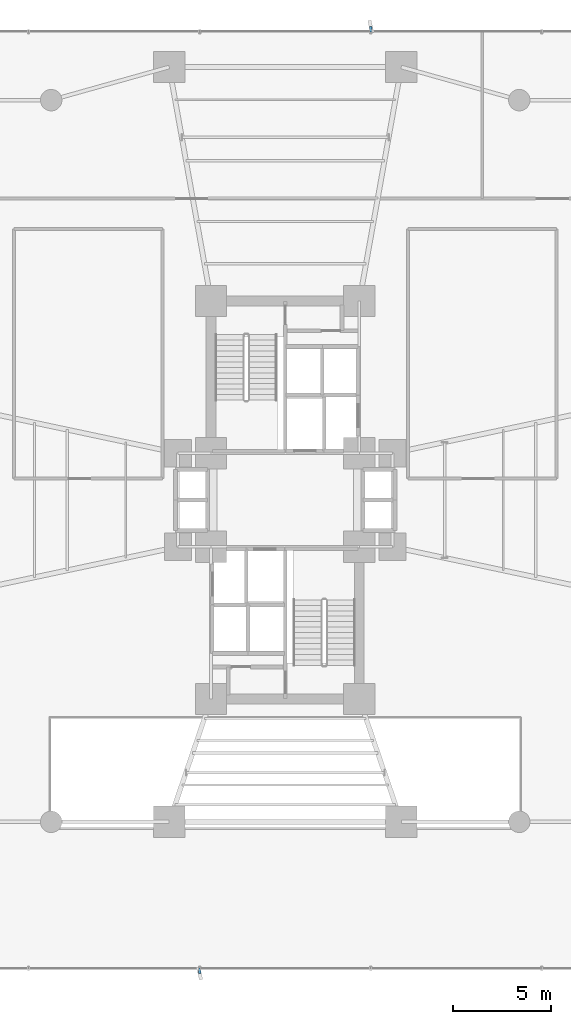
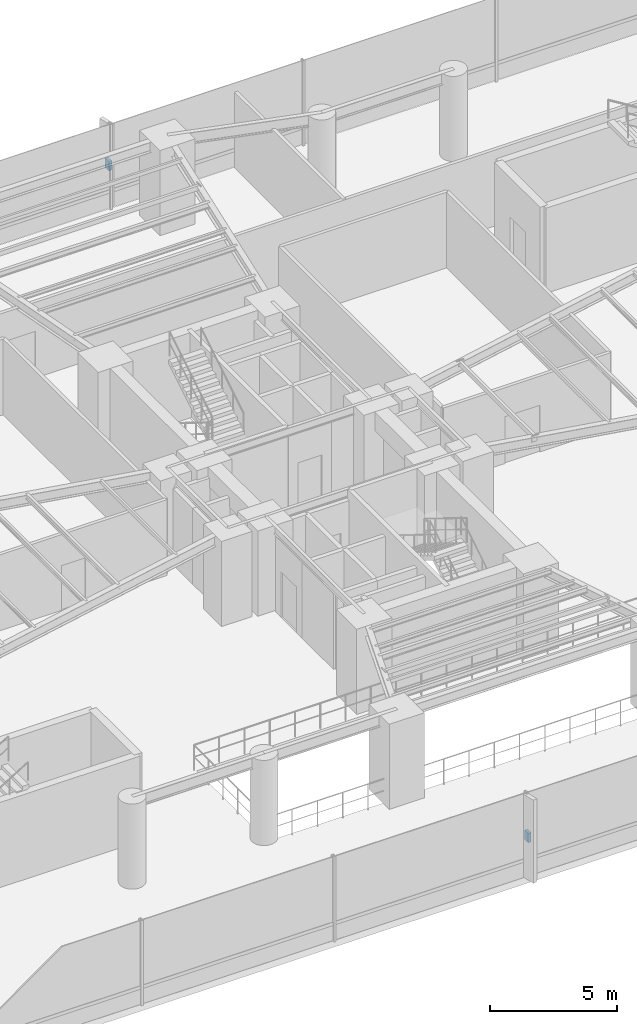
# One storey, part 19 of 23: 2 discrete accessories.
"""IFC4 building model written with IfcOpenShell, lengths in metres."""

from ifc_helpers import new_model, si_unit, direction, frame, origin, origin_2d, place, context, subcontext, project, spatial, rectangle, extrude, source, transform, mapped, material, type_object, element, save


model = new_model("IFC4")

# Units and contexts
model_context = context("Model", 3, precision=1e-05, world=origin(), true_north=direction((0.0, 1.0)))
body_context = subcontext(model_context, "Body", "Model", "MODEL_VIEW")
ifc_project = project(units=[si_unit("LENGTHUNIT", "METRE"), si_unit("AREAUNIT", "SQUARE_METRE"), si_unit("VOLUMEUNIT", "CUBIC_METRE"), si_unit("PLANEANGLEUNIT", "RADIAN"), si_unit("MASSUNIT", "GRAM", prefix="KILO")], contexts=[model_context])

# Site, building, storey
site_placement = place(None, origin())
site = spatial("IfcSite", under=ifc_project, at=site_placement, CompositionType="ELEMENT")
building_placement = place(site_placement, origin())
building = spatial("IfcBuilding", under=site, at=building_placement, Name="Sahyath Konkavel Grand Hotel", CompositionType="ELEMENT")
storey_placement = place(building_placement, frame((0.0, 0.0, 4.800048828125)))
storey = spatial("IfcBuildingStorey", under=building, at=storey_placement, Name="L01", CompositionType="ELEMENT", Elevation=4.800048828125)

# Discrete accessories
ifc_material = material(Name="Steel E350", Category="steel")
discrete_accessory_type = type_object("IfcDiscreteAccessoryType", Name="ACC-FIN-BRACKET", PredefinedType="BRACKET", material=ifc_material)
shared_shape = source(origin(), body_context, "Body", "SweptSolid", [
    extrude(rectangle(XDim=0.280029296875, YDim=0.139892578125, at=origin_2d()), origin(), (0.0, 0.0, 1.0), 0.449951171875),
])
for number, where, z_axis, x_axis, name in (
    (1, (4.387451171875, 24.14306640625, 1.8251953125), (0.0, 0.0, 1.0), (0.0, 1.0, 0.0), "L01 Fin Support Bracket N-3"),
    (2, (-4.387451171875, -24.14306640625, 1.8251953125), (0.0, 0.0, 1.0), (0.0, -1.0, 0.0), "L01 Fin Support Bracket S-3"),
):
    element("IfcDiscreteAccessory", number, at=place(storey_placement, frame(where, z_axis=z_axis, x_axis=x_axis)), inside=storey, type_object=discrete_accessory_type, Name=name, PredefinedType="BRACKET", context=body_context, shape_type="MappedRepresentation", body=[
        mapped(shared_shape, transform((0.0, 0.0, 0.0), scale=1.0)),
    ])

save(model, "model.ifc")
